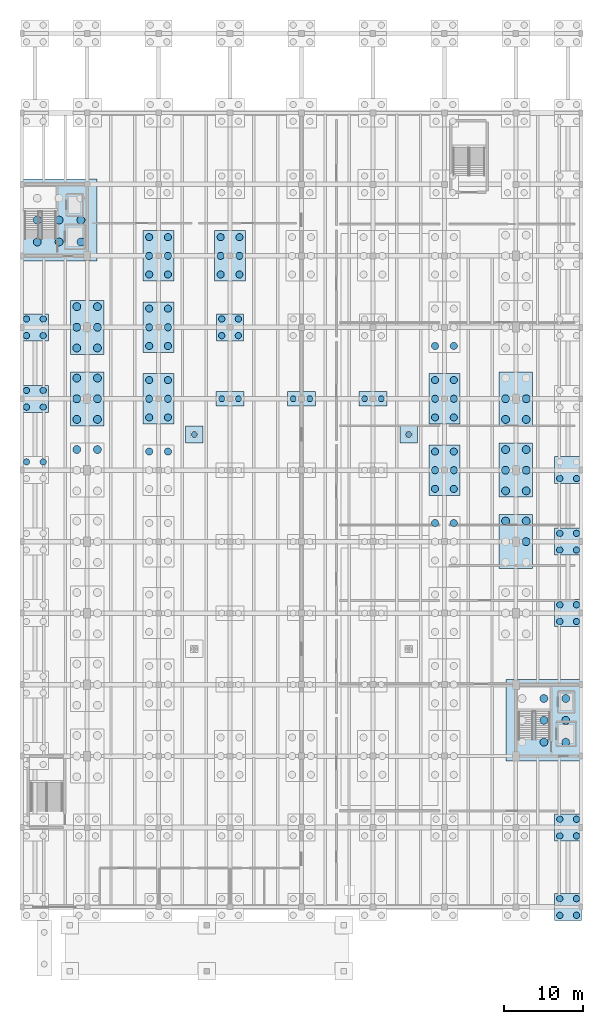
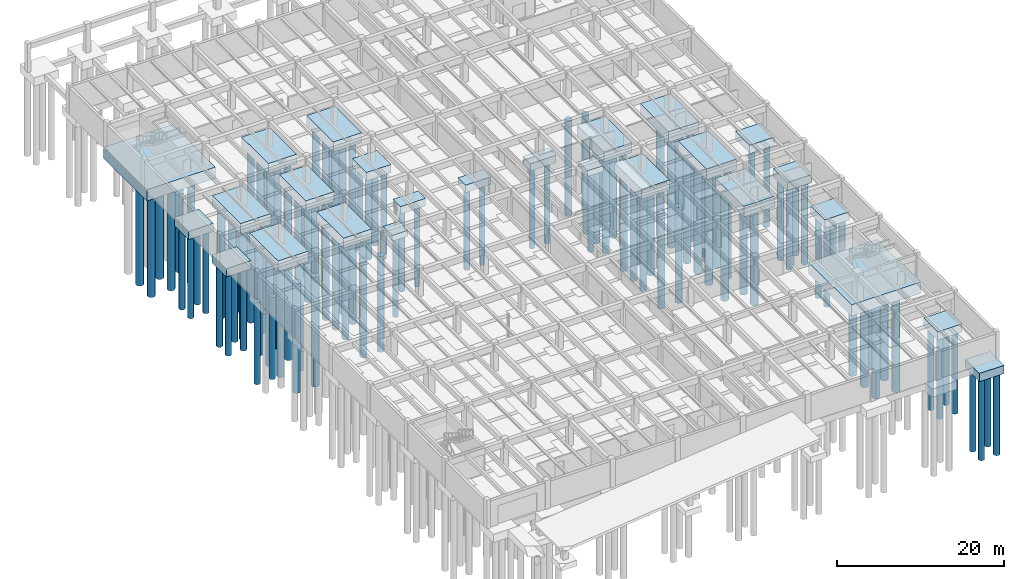
# One storey, part 3 of 23: 121 piles, 26 footings.
"""IFC4 building model written with IfcOpenShell, lengths in metres."""

from ifc_helpers import new_model, si_unit, direction, frame, origin, origin_2d, place, context, subcontext, project, spatial, polyline, circle, outline, extrude, material, layer, layer_set, material_profile, profile_set, type_object, element, save


model = new_model("IFC4")

# Units and contexts
model_context = context("Model", 3, precision=1e-05, world=origin(), true_north=direction((0.0, 1.0)))
body_context = subcontext(model_context, "Body", "Model", "MODEL_VIEW")
ifc_project = project(units=[si_unit("LENGTHUNIT", "METRE"), si_unit("AREAUNIT", "SQUARE_METRE"), si_unit("VOLUMEUNIT", "CUBIC_METRE"), si_unit("PLANEANGLEUNIT", "RADIAN"), si_unit("MASSUNIT", "GRAM", prefix="KILO")], contexts=[model_context])

# Site, building, storey
site_placement = place(None, origin())
site = spatial("IfcSite", under=ifc_project, at=site_placement, CompositionType="ELEMENT")
building_placement = place(site_placement, origin())
building = spatial("IfcBuilding", under=site, at=building_placement, Name="Ornek Quay Market", CompositionType="ELEMENT")
storey_placement = place(building_placement, frame((0.0, 0.0, -4.199951171875)))
storey = spatial("IfcBuildingStorey", under=building, at=storey_placement, Name="B1", CompositionType="ELEMENT", Elevation=-4.199951171875)

# Footings
ifc_material = material(Name="Concrete C35/45", Category="concrete")
ifc_layer_1 = layer(ifc_material, 1.64990234375, Name="Concrete C35/45", Category="concrete")
ifc_layer_set_1 = layer_set([ifc_layer_1], Name="Concrete C35/45")
footing_type_1 = type_object("IfcFootingType", Name="FT-CORE-8400x7200x1650", PredefinedType="PILE_CAP", material=ifc_layer_set_1)
footing_1_placement = place(storey_placement, frame((0.0, 0.0, -1.650146484375)))
element("IfcFooting", 1, at=footing_1_placement, inside=storey, type_object=footing_type_1, Name="Pile cap FC-003", PredefinedType="PILE_CAP", context=body_context, shape_type="SweptSolid", body=[
    extrude(outline(polyline([(54.719970703125, 91.35009765625), (64.219970703125, 91.35009765625), (64.219970703125, 101.64990234375), (54.719970703125, 101.64990234375), (54.719970703125, 91.35009765625)])), origin(), (0.0, 0.0, 1.0), 1.650146484375),
])
footing_2_placement = place(storey_placement, frame((0.0, 0.0, -1.650146484375)))
element("IfcFooting", 2, at=footing_2_placement, inside=storey, type_object=footing_type_1, Name="Pile cap FC-004", PredefinedType="PILE_CAP", context=body_context, shape_type="SweptSolid", body=[
    extrude(outline(polyline([(115.780029296875, 28.35009765625), (125.280029296875, 28.35009765625), (125.280029296875, 38.64990234375), (115.780029296875, 38.64990234375), (115.780029296875, 28.35009765625)])), origin(), (0.0, 0.0, 1.0), 1.650146484375),
])
ifc_layer_2 = layer(ifc_material, 0.85009765625, Name="Concrete C35/45", Category="concrete")
ifc_layer_set_2 = layer_set([ifc_layer_2], Name="Concrete C35/45")
footing_type_2 = type_object("IfcFootingType", Name="FT-PAD-2200x2200x850", PredefinedType="PAD_FOOTING", material=ifc_layer_set_2)
footing_3_placement = place(storey_placement, frame((0.0, 0.0, -0.85009765625)))
element("IfcFooting", 3, at=footing_3_placement, inside=storey, type_object=footing_type_2, Name="Pad footing PF-02", PredefinedType="PAD_FOOTING", context=body_context, shape_type="SweptSolid", body=[
    extrude(outline(polyline([(75.39990234375, 68.39990234375), (77.60009765625, 68.39990234375), (77.60009765625, 70.60009765625), (75.39990234375, 70.60009765625), (75.39990234375, 68.39990234375)])), origin(), (0.0, 0.0, 1.0), 0.85009765625),
])
footing_4_placement = place(storey_placement, frame((0.0, 0.0, -0.85009765625)))
element("IfcFooting", 4, at=footing_4_placement, inside=storey, type_object=footing_type_2, Name="Pad footing PF-04", PredefinedType="PAD_FOOTING", context=body_context, shape_type="SweptSolid", body=[
    extrude(outline(polyline([(102.39990234375, 68.39990234375), (104.60009765625, 68.39990234375), (104.60009765625, 70.60009765625), (102.39990234375, 70.60009765625), (102.39990234375, 68.39990234375)])), origin(), (0.0, 0.0, 1.0), 0.85009765625),
])
ifc_layer_3 = layer(ifc_material, 1.10009765625, Name="Concrete C35/45", Category="concrete")
ifc_layer_set_3 = layer_set([ifc_layer_3], Name="Concrete C35/45")
footing_type_3 = type_object("IfcFootingType", Name="FT-PC2-2800x1400x1100", PredefinedType="PILE_CAP", material=ifc_layer_set_3)
footing_5_placement = place(storey_placement, frame((0.0, 0.0, -1.10009765625)))
element("IfcFooting", 5, at=footing_5_placement, inside=storey, type_object=footing_type_3, Name="Pile cap FC-107", PredefinedType="PILE_CAP", context=body_context, shape_type="SweptSolid", body=[
    extrude(outline(polyline([(79.25, 73.10009765625), (82.75, 73.10009765625), (82.75, 74.89990234375), (79.25, 74.89990234375), (79.25, 73.10009765625)])), origin(), (0.0, 0.0, 1.0), 1.10009765625),
])
footing_6_placement = place(storey_placement, frame((0.0, 0.0, -1.10009765625)))
element("IfcFooting", 6, at=footing_6_placement, inside=storey, type_object=footing_type_3, Name="Pile cap FC-120", PredefinedType="PILE_CAP", context=body_context, shape_type="SweptSolid", body=[
    extrude(outline(polyline([(88.25, 73.10009765625), (91.75, 73.10009765625), (91.75, 74.89990234375), (88.25, 74.89990234375), (88.25, 73.10009765625)])), origin(), (0.0, 0.0, 1.0), 1.10009765625),
])
footing_7_placement = place(storey_placement, frame((0.0, 0.0, -1.10009765625)))
element("IfcFooting", 7, at=footing_7_placement, inside=storey, type_object=footing_type_3, Name="Pile cap FC-133", PredefinedType="PILE_CAP", context=body_context, shape_type="SweptSolid", body=[
    extrude(outline(polyline([(97.25, 73.10009765625), (100.75, 73.10009765625), (100.75, 74.89990234375), (97.25, 74.89990234375), (97.25, 73.10009765625)])), origin(), (0.0, 0.0, 1.0), 1.10009765625),
])
ifc_layer_4 = layer(ifc_material, 1.199951171875, Name="Concrete C35/45", Category="concrete")
ifc_layer_set_4 = layer_set([ifc_layer_4], Name="Concrete C35/45")
footing_type_4 = type_object("IfcFootingType", Name="FT-PC4-2800x2800x1200", PredefinedType="PILE_CAP", material=ifc_layer_set_4)
footing_8_placement = place(storey_placement, frame((0.0, 0.0, -1.199951171875)))
element("IfcFooting", 8, at=footing_8_placement, inside=storey, type_object=footing_type_4, Name="Pile cap FC-072", PredefinedType="PILE_CAP", context=body_context, shape_type="SweptSolid", body=[
    extrude(outline(polyline([(54.719970703125, 72.300048828125), (58.1201171875, 72.300048828125), (58.1201171875, 75.699951171875), (54.719970703125, 75.699951171875), (54.719970703125, 72.300048828125)])), origin(), (0.0, 0.0, 1.0), 1.199951171875),
])
footing_9_placement = place(storey_placement, frame((0.0, 0.0, -1.199951171875)))
element("IfcFooting", 9, at=footing_9_placement, inside=storey, type_object=footing_type_4, Name="Pile cap FC-073", PredefinedType="PILE_CAP", context=body_context, shape_type="SweptSolid", body=[
    extrude(outline(polyline([(54.719970703125, 81.300048828125), (58.1201171875, 81.300048828125), (58.1201171875, 84.699951171875), (54.719970703125, 84.699951171875), (54.719970703125, 81.300048828125)])), origin(), (0.0, 0.0, 1.0), 1.199951171875),
])
footing_10_placement = place(storey_placement, frame((0.0, 0.0, -1.199951171875)))
element("IfcFooting", 10, at=footing_10_placement, inside=storey, type_object=footing_type_4, Name="Pile cap FC-108", PredefinedType="PILE_CAP", context=body_context, shape_type="SweptSolid", body=[
    extrude(outline(polyline([(79.300048828125, 81.300048828125), (82.699951171875, 81.300048828125), (82.699951171875, 84.699951171875), (79.300048828125, 84.699951171875), (79.300048828125, 81.300048828125)])), origin(), (0.0, 0.0, 1.0), 1.199951171875),
])
footing_11_placement = place(storey_placement, frame((0.0, 0.0, -1.199951171875)))
element("IfcFooting", 11, at=footing_11_placement, inside=storey, type_object=footing_type_4, Name="Pile cap FC-163", PredefinedType="PILE_CAP", context=body_context, shape_type="SweptSolid", body=[
    extrude(outline(polyline([(121.8798828125, 8.300048828125), (125.280029296875, 8.300048828125), (125.280029296875, 11.699951171875), (121.8798828125, 11.699951171875), (121.8798828125, 8.300048828125)])), origin(), (0.0, 0.0, 1.0), 1.199951171875),
])
footing_12_placement = place(storey_placement, frame((0.0, 0.0, -1.199951171875)))
element("IfcFooting", 12, at=footing_12_placement, inside=storey, type_object=footing_type_4, Name="Pile cap FC-164", PredefinedType="PILE_CAP", context=body_context, shape_type="SweptSolid", body=[
    extrude(outline(polyline([(121.8798828125, 18.300048828125), (125.280029296875, 18.300048828125), (125.280029296875, 21.699951171875), (121.8798828125, 21.699951171875), (121.8798828125, 18.300048828125)])), origin(), (0.0, 0.0, 1.0), 1.199951171875),
])
footing_13_placement = place(storey_placement, frame((0.0, 0.0, -1.199951171875)))
element("IfcFooting", 13, at=footing_13_placement, inside=storey, type_object=footing_type_4, Name="Pile cap FC-165", PredefinedType="PILE_CAP", context=body_context, shape_type="SweptSolid", body=[
    extrude(outline(polyline([(121.8798828125, 45.300048828125), (125.280029296875, 45.300048828125), (125.280029296875, 48.699951171875), (121.8798828125, 48.699951171875), (121.8798828125, 45.300048828125)])), origin(), (0.0, 0.0, 1.0), 1.199951171875),
])
footing_14_placement = place(storey_placement, frame((0.0, 0.0, -1.199951171875)))
element("IfcFooting", 14, at=footing_14_placement, inside=storey, type_object=footing_type_4, Name="Pile cap FC-166", PredefinedType="PILE_CAP", context=body_context, shape_type="SweptSolid", body=[
    extrude(outline(polyline([(121.8798828125, 54.300048828125), (125.280029296875, 54.300048828125), (125.280029296875, 57.699951171875), (121.8798828125, 57.699951171875), (121.8798828125, 54.300048828125)])), origin(), (0.0, 0.0, 1.0), 1.199951171875),
])
footing_15_placement = place(storey_placement, frame((0.0, 0.0, -1.199951171875)))
element("IfcFooting", 15, at=footing_15_placement, inside=storey, type_object=footing_type_4, Name="Pile cap FC-167", PredefinedType="PILE_CAP", context=body_context, shape_type="SweptSolid", body=[
    extrude(outline(polyline([(121.8798828125, 63.300048828125), (125.280029296875, 63.300048828125), (125.280029296875, 66.699951171875), (121.8798828125, 66.699951171875), (121.8798828125, 63.300048828125)])), origin(), (0.0, 0.0, 1.0), 1.199951171875),
])
ifc_layer_5 = layer(ifc_material, 1.449951171875, Name="Concrete C35/45", Category="concrete")
ifc_layer_set_5 = layer_set([ifc_layer_5], Name="Concrete C35/45")
footing_type_5 = type_object("IfcFootingType", Name="FT-PC6-3200x4600x1450", PredefinedType="PILE_CAP", material=ifc_layer_set_5)
footing_16_placement = place(storey_placement, frame((0.0, 0.0, -1.449951171875)))
element("IfcFooting", 16, at=footing_16_placement, inside=storey, type_object=footing_type_5, Name="Pile cap FC-094", PredefinedType="PILE_CAP", context=body_context, shape_type="SweptSolid", body=[
    extrude(outline(polyline([(70.050048828125, 70.800048828125), (73.949951171875, 70.800048828125), (73.949951171875, 77.199951171875), (70.050048828125, 77.199951171875), (70.050048828125, 70.800048828125)])), origin(), (0.0, 0.0, 1.0), 1.449951171875),
])
footing_17_placement = place(storey_placement, frame((0.0, 0.0, -1.449951171875)))
element("IfcFooting", 17, at=footing_17_placement, inside=storey, type_object=footing_type_5, Name="Pile cap FC-095", PredefinedType="PILE_CAP", context=body_context, shape_type="SweptSolid", body=[
    extrude(outline(polyline([(70.050048828125, 79.800048828125), (73.949951171875, 79.800048828125), (73.949951171875, 86.199951171875), (70.050048828125, 86.199951171875), (70.050048828125, 79.800048828125)])), origin(), (0.0, 0.0, 1.0), 1.449951171875),
])
footing_18_placement = place(storey_placement, frame((0.0, 0.0, -1.449951171875)))
element("IfcFooting", 18, at=footing_18_placement, inside=storey, type_object=footing_type_5, Name="Pile cap FC-096", PredefinedType="PILE_CAP", context=body_context, shape_type="SweptSolid", body=[
    extrude(outline(polyline([(70.050048828125, 88.800048828125), (73.949951171875, 88.800048828125), (73.949951171875, 95.199951171875), (70.050048828125, 95.199951171875), (70.050048828125, 88.800048828125)])), origin(), (0.0, 0.0, 1.0), 1.449951171875),
])
footing_19_placement = place(storey_placement, frame((0.0, 0.0, -1.449951171875)))
element("IfcFooting", 19, at=footing_19_placement, inside=storey, type_object=footing_type_5, Name="Pile cap FC-109", PredefinedType="PILE_CAP", context=body_context, shape_type="SweptSolid", body=[
    extrude(outline(polyline([(79.050048828125, 88.800048828125), (82.949951171875, 88.800048828125), (82.949951171875, 95.199951171875), (79.050048828125, 95.199951171875), (79.050048828125, 88.800048828125)])), origin(), (0.0, 0.0, 1.0), 1.449951171875),
])
footing_20_placement = place(storey_placement, frame((0.0, 0.0, -1.449951171875)))
element("IfcFooting", 20, at=footing_20_placement, inside=storey, type_object=footing_type_5, Name="Pile cap FC-145", PredefinedType="PILE_CAP", context=body_context, shape_type="SweptSolid", body=[
    extrude(outline(polyline([(106.050048828125, 61.800048828125), (109.949951171875, 61.800048828125), (109.949951171875, 68.199951171875), (106.050048828125, 68.199951171875), (106.050048828125, 61.800048828125)])), origin(), (0.0, 0.0, 1.0), 1.449951171875),
])
footing_21_placement = place(storey_placement, frame((0.0, 0.0, -1.449951171875)))
element("IfcFooting", 21, at=footing_21_placement, inside=storey, type_object=footing_type_5, Name="Pile cap FC-146", PredefinedType="PILE_CAP", context=body_context, shape_type="SweptSolid", body=[
    extrude(outline(polyline([(106.050048828125, 70.800048828125), (109.949951171875, 70.800048828125), (109.949951171875, 77.199951171875), (106.050048828125, 77.199951171875), (106.050048828125, 70.800048828125)])), origin(), (0.0, 0.0, 1.0), 1.449951171875),
])
ifc_layer_6 = layer(ifc_material, 1.550048828125, Name="Concrete C35/45", Category="concrete")
ifc_layer_set_6 = layer_set([ifc_layer_6], Name="Concrete C35/45")
footing_type_6 = type_object("IfcFootingType", Name="FT-PC6-3600x5200x1550", PredefinedType="PILE_CAP", material=ifc_layer_set_6)
footing_22_placement = place(storey_placement, frame((0.0, 0.0, -1.550048828125)))
element("IfcFooting", 22, at=footing_22_placement, inside=storey, type_object=footing_type_6, Name="Pile cap FC-083", PredefinedType="PILE_CAP", context=body_context, shape_type="SweptSolid", body=[
    extrude(outline(polyline([(60.89990234375, 70.60009765625), (65.10009765625, 70.60009765625), (65.10009765625, 77.39990234375), (60.89990234375, 77.39990234375), (60.89990234375, 70.60009765625)])), origin(), (0.0, 0.0, 1.0), 1.550048828125),
])
footing_23_placement = place(storey_placement, frame((0.0, 0.0, -1.550048828125)))
element("IfcFooting", 23, at=footing_23_placement, inside=storey, type_object=footing_type_6, Name="Pile cap FC-084", PredefinedType="PILE_CAP", context=body_context, shape_type="SweptSolid", body=[
    extrude(outline(polyline([(60.89990234375, 79.60009765625), (65.10009765625, 79.60009765625), (65.10009765625, 86.39990234375), (60.89990234375, 86.39990234375), (60.89990234375, 79.60009765625)])), origin(), (0.0, 0.0, 1.0), 1.550048828125),
])
footing_24_placement = place(storey_placement, frame((0.0, 0.0, -1.550048828125)))
element("IfcFooting", 24, at=footing_24_placement, inside=storey, type_object=footing_type_6, Name="Pile cap FC-155", PredefinedType="PILE_CAP", context=body_context, shape_type="SweptSolid", body=[
    extrude(outline(polyline([(114.89990234375, 52.60009765625), (119.10009765625, 52.60009765625), (119.10009765625, 59.39990234375), (114.89990234375, 59.39990234375), (114.89990234375, 52.60009765625)])), origin(), (0.0, 0.0, 1.0), 1.550048828125),
])
footing_25_placement = place(storey_placement, frame((0.0, 0.0, -1.550048828125)))
element("IfcFooting", 25, at=footing_25_placement, inside=storey, type_object=footing_type_6, Name="Pile cap FC-156", PredefinedType="PILE_CAP", context=body_context, shape_type="SweptSolid", body=[
    extrude(outline(polyline([(114.89990234375, 61.60009765625), (119.10009765625, 61.60009765625), (119.10009765625, 68.39990234375), (114.89990234375, 68.39990234375), (114.89990234375, 61.60009765625)])), origin(), (0.0, 0.0, 1.0), 1.550048828125),
])
footing_26_placement = place(storey_placement, frame((0.0, 0.0, -1.550048828125)))
element("IfcFooting", 26, at=footing_26_placement, inside=storey, type_object=footing_type_6, Name="Pile cap FC-157", PredefinedType="PILE_CAP", context=body_context, shape_type="SweptSolid", body=[
    extrude(outline(polyline([(114.89990234375, 70.60009765625), (119.10009765625, 70.60009765625), (119.10009765625, 77.39990234375), (114.89990234375, 77.39990234375), (114.89990234375, 70.60009765625)])), origin(), (0.0, 0.0, 1.0), 1.550048828125),
])

# Piles
ifc_material_profile_1 = material_profile(ifc_material, circle(Radius=0.5, at=origin_2d()), Name="PILE D1000", Category="concrete")
ifc_profile_set_1 = profile_set([ifc_material_profile_1], Name="Concrete C35/45")
pile_type_1 = type_object("IfcPileType", Name="PL-BOR-D1000-L15", PredefinedType="BORED", material=ifc_profile_set_1)
for number, where, z_axis, x_axis, name in (
    (27, (120.530029296875, 30.75, -1.550048828125), (0.0, 0.0, -1.0), (1.0, 0.0, 0.0), "Bored pile P-0031"),
    (28, (120.530029296875, 33.5, -1.550048828125), (0.0, 0.0, -1.0), (1.0, 0.0, 0.0), "Bored pile P-0032"),
    (29, (120.530029296875, 36.25, -1.550048828125), (0.0, 0.0, -1.0), (1.0, 0.0, 0.0), "Bored pile P-0033"),
    (30, (123.280029296875, 30.75, -1.550048828125), (0.0, 0.0, -1.0), (1.0, 0.0, 0.0), "Bored pile P-0034"),
    (31, (123.280029296875, 33.5, -1.550048828125), (0.0, 0.0, -1.0), (1.0, 0.0, 0.0), "Bored pile P-0035"),
    (32, (123.280029296875, 36.25, -1.550048828125), (0.0, 0.0, -1.0), (1.0, 0.0, 0.0), "Bored pile P-0036"),
):
    element("IfcPile", number, at=place(storey_placement, frame(where, z_axis=z_axis, x_axis=x_axis)), inside=storey, type_object=pile_type_1, Name=name, PredefinedType="BORED", context=body_context, shape_type="SweptSolid", body=[
        extrude(circle(Radius=0.5, at=origin_2d()), origin(), (0.0, 0.0, 1.0), 15.0),
    ])
ifc_material_profile_2 = material_profile(ifc_material, circle(Radius=0.5, at=origin_2d()), Name="PILE D1000", Category="concrete")
ifc_profile_set_2 = profile_set([ifc_material_profile_2], Name="Concrete C35/45")
pile_type_2 = type_object("IfcPileType", Name="PL-BOR-D1000-L16", PredefinedType="BORED", material=ifc_profile_set_2)
for number, where, z_axis, x_axis, name in (
    (33, (56.719970703125, 93.75, -1.550048828125), (0.0, 0.0, -1.0), (1.0, 0.0, 0.0), "Bored pile P-0019"),
    (34, (56.719970703125, 96.5, -1.550048828125), (0.0, 0.0, -1.0), (1.0, 0.0, 0.0), "Bored pile P-0020"),
    (35, (59.469970703125, 93.75, -1.550048828125), (0.0, 0.0, -1.0), (1.0, 0.0, 0.0), "Bored pile P-0022"),
    (36, (59.469970703125, 96.5, -1.550048828125), (0.0, 0.0, -1.0), (1.0, 0.0, 0.0), "Bored pile P-0023"),
    (37, (62.219970703125, 93.75, -1.550048828125), (0.0, 0.0, -1.0), (1.0, 0.0, 0.0), "Bored pile P-0025"),
    (38, (62.219970703125, 96.5, -1.550048828125), (0.0, 0.0, -1.0), (1.0, 0.0, 0.0), "Bored pile P-0026"),
    (39, (61.699951171875, 67.60009765625, -1.449951171875), (0.0, 0.0, -1.0), (1.0, 0.0, 0.0), "Bored pile P-0367"),
    (40, (64.300048828125, 67.60009765625, -1.449951171875), (0.0, 0.0, -1.0), (1.0, 0.0, 0.0), "Bored pile P-0368"),
    (41, (61.699951171875, 71.39990234375, -1.449951171875), (0.0, 0.0, -1.0), (1.0, 0.0, 0.0), "Bored pile P-0369"),
    (42, (64.300048828125, 71.39990234375, -1.449951171875), (0.0, 0.0, -1.0), (1.0, 0.0, 0.0), "Bored pile P-0370"),
    (43, (61.699951171875, 74.0, -1.449951171875), (0.0, 0.0, -1.0), (1.0, 0.0, 0.0), "Bored pile P-0371"),
    (44, (64.300048828125, 74.0, -1.449951171875), (0.0, 0.0, -1.0), (1.0, 0.0, 0.0), "Bored pile P-0372"),
    (45, (61.699951171875, 76.60009765625, -1.449951171875), (0.0, 0.0, -1.0), (1.0, 0.0, 0.0), "Bored pile P-0373"),
    (46, (64.300048828125, 76.60009765625, -1.449951171875), (0.0, 0.0, -1.0), (1.0, 0.0, 0.0), "Bored pile P-0374"),
    (47, (61.699951171875, 80.39990234375, -1.449951171875), (0.0, 0.0, -1.0), (1.0, 0.0, 0.0), "Bored pile P-0375"),
    (48, (64.300048828125, 80.39990234375, -1.449951171875), (0.0, 0.0, -1.0), (1.0, 0.0, 0.0), "Bored pile P-0376"),
    (49, (61.699951171875, 83.0, -1.449951171875), (0.0, 0.0, -1.0), (1.0, 0.0, 0.0), "Bored pile P-0377"),
    (50, (64.300048828125, 83.0, -1.449951171875), (0.0, 0.0, -1.0), (1.0, 0.0, 0.0), "Bored pile P-0378"),
    (51, (61.699951171875, 85.60009765625, -1.449951171875), (0.0, 0.0, -1.0), (1.0, 0.0, 0.0), "Bored pile P-0379"),
    (52, (64.300048828125, 85.60009765625, -1.449951171875), (0.0, 0.0, -1.0), (1.0, 0.0, 0.0), "Bored pile P-0380"),
    (53, (118.300048828125, 56.0, -1.449951171875), (0.0, 0.0, -1.0), (1.0, 0.0, 0.0), "Bored pile P-0680"),
    (54, (115.699951171875, 58.60009765625, -1.449951171875), (0.0, 0.0, -1.0), (1.0, 0.0, 0.0), "Bored pile P-0681"),
    (55, (118.300048828125, 58.60009765625, -1.449951171875), (0.0, 0.0, -1.0), (1.0, 0.0, 0.0), "Bored pile P-0682"),
    (56, (115.699951171875, 62.39990234375, -1.449951171875), (0.0, 0.0, -1.0), (1.0, 0.0, 0.0), "Bored pile P-0683"),
    (57, (118.300048828125, 62.39990234375, -1.449951171875), (0.0, 0.0, -1.0), (1.0, 0.0, 0.0), "Bored pile P-0684"),
    (58, (115.699951171875, 65.0, -1.449951171875), (0.0, 0.0, -1.0), (1.0, 0.0, 0.0), "Bored pile P-0685"),
    (59, (118.300048828125, 65.0, -1.449951171875), (0.0, 0.0, -1.0), (1.0, 0.0, 0.0), "Bored pile P-0686"),
    (60, (115.699951171875, 67.60009765625, -1.449951171875), (0.0, 0.0, -1.0), (1.0, 0.0, 0.0), "Bored pile P-0687"),
    (61, (118.300048828125, 67.60009765625, -1.449951171875), (0.0, 0.0, -1.0), (1.0, 0.0, 0.0), "Bored pile P-0688"),
    (62, (115.699951171875, 71.39990234375, -1.449951171875), (0.0, 0.0, -1.0), (1.0, 0.0, 0.0), "Bored pile P-0689"),
    (63, (118.300048828125, 71.39990234375, -1.449951171875), (0.0, 0.0, -1.0), (1.0, 0.0, 0.0), "Bored pile P-0690"),
    (64, (115.699951171875, 74.0, -1.449951171875), (0.0, 0.0, -1.0), (1.0, 0.0, 0.0), "Bored pile P-0691"),
    (65, (118.300048828125, 74.0, -1.449951171875), (0.0, 0.0, -1.0), (1.0, 0.0, 0.0), "Bored pile P-0692"),
):
    element("IfcPile", number, at=place(storey_placement, frame(where, z_axis=z_axis, x_axis=x_axis)), inside=storey, type_object=pile_type_2, Name=name, PredefinedType="BORED", context=body_context, shape_type="SweptSolid", body=[
        extrude(circle(Radius=0.5, at=origin_2d()), origin(), (0.0, 0.0, 1.0), 16.0),
    ])
ifc_material_profile_3 = material_profile(ifc_material, circle(Radius=0.39990234375, at=origin_2d()), Name="PILE D800", Category="concrete")
ifc_profile_set_3 = profile_set([ifc_material_profile_3], Name="Concrete C35/45")
pile_type_3 = type_object("IfcPileType", Name="PL-BOR-D800-L12", PredefinedType="BORED", material=ifc_profile_set_3)
for number, where, z_axis, x_axis, name in (
    (66, (55.3701171875, 66.050048828125, -1.10009765625), (0.0, 0.0, -1.0), (1.0, 0.0, 0.0), "Bored pile P-0313"),
    (67, (57.469970703125, 66.050048828125, -1.10009765625), (0.0, 0.0, -1.0), (1.0, 0.0, 0.0), "Bored pile P-0314"),
    (68, (55.3701171875, 72.949951171875, -1.10009765625), (0.0, 0.0, -1.0), (1.0, 0.0, 0.0), "Bored pile P-0315"),
    (69, (57.469970703125, 72.949951171875, -1.10009765625), (0.0, 0.0, -1.0), (1.0, 0.0, 0.0), "Bored pile P-0316"),
    (70, (55.3701171875, 75.050048828125, -1.10009765625), (0.0, 0.0, -1.0), (1.0, 0.0, 0.0), "Bored pile P-0317"),
    (71, (57.469970703125, 75.050048828125, -1.10009765625), (0.0, 0.0, -1.0), (1.0, 0.0, 0.0), "Bored pile P-0318"),
    (72, (55.3701171875, 81.949951171875, -1.10009765625), (0.0, 0.0, -1.0), (1.0, 0.0, 0.0), "Bored pile P-0319"),
    (73, (57.469970703125, 81.949951171875, -1.10009765625), (0.0, 0.0, -1.0), (1.0, 0.0, 0.0), "Bored pile P-0320"),
    (74, (55.3701171875, 84.050048828125, -1.10009765625), (0.0, 0.0, -1.0), (1.0, 0.0, 0.0), "Bored pile P-0321"),
    (75, (57.469970703125, 84.050048828125, -1.10009765625), (0.0, 0.0, -1.0), (1.0, 0.0, 0.0), "Bored pile P-0322"),
    (76, (79.949951171875, 81.949951171875, -1.10009765625), (0.0, 0.0, -1.0), (1.0, 0.0, 0.0), "Bored pile P-0481"),
    (77, (82.050048828125, 81.949951171875, -1.10009765625), (0.0, 0.0, -1.0), (1.0, 0.0, 0.0), "Bored pile P-0482"),
    (78, (79.949951171875, 84.050048828125, -1.10009765625), (0.0, 0.0, -1.0), (1.0, 0.0, 0.0), "Bored pile P-0483"),
    (79, (82.050048828125, 84.050048828125, -1.10009765625), (0.0, 0.0, -1.0), (1.0, 0.0, 0.0), "Bored pile P-0484"),
    (80, (122.530029296875, 8.949951171875, -1.10009765625), (0.0, 0.0, -1.0), (1.0, 0.0, 0.0), "Bored pile P-0719"),
    (81, (124.6298828125, 8.949951171875, -1.10009765625), (0.0, 0.0, -1.0), (1.0, 0.0, 0.0), "Bored pile P-0720"),
    (82, (122.530029296875, 11.050048828125, -1.10009765625), (0.0, 0.0, -1.0), (1.0, 0.0, 0.0), "Bored pile P-0721"),
    (83, (124.6298828125, 11.050048828125, -1.10009765625), (0.0, 0.0, -1.0), (1.0, 0.0, 0.0), "Bored pile P-0722"),
    (84, (122.530029296875, 18.949951171875, -1.10009765625), (0.0, 0.0, -1.0), (1.0, 0.0, 0.0), "Bored pile P-0723"),
    (85, (124.6298828125, 18.949951171875, -1.10009765625), (0.0, 0.0, -1.0), (1.0, 0.0, 0.0), "Bored pile P-0724"),
    (86, (122.530029296875, 21.050048828125, -1.10009765625), (0.0, 0.0, -1.0), (1.0, 0.0, 0.0), "Bored pile P-0725"),
    (87, (124.6298828125, 21.050048828125, -1.10009765625), (0.0, 0.0, -1.0), (1.0, 0.0, 0.0), "Bored pile P-0726"),
    (88, (122.530029296875, 45.949951171875, -1.10009765625), (0.0, 0.0, -1.0), (1.0, 0.0, 0.0), "Bored pile P-0727"),
    (89, (124.6298828125, 45.949951171875, -1.10009765625), (0.0, 0.0, -1.0), (1.0, 0.0, 0.0), "Bored pile P-0728"),
    (90, (122.530029296875, 48.050048828125, -1.10009765625), (0.0, 0.0, -1.0), (1.0, 0.0, 0.0), "Bored pile P-0729"),
    (91, (124.6298828125, 48.050048828125, -1.10009765625), (0.0, 0.0, -1.0), (1.0, 0.0, 0.0), "Bored pile P-0730"),
    (92, (122.530029296875, 54.949951171875, -1.10009765625), (0.0, 0.0, -1.0), (1.0, 0.0, 0.0), "Bored pile P-0731"),
    (93, (124.6298828125, 54.949951171875, -1.10009765625), (0.0, 0.0, -1.0), (1.0, 0.0, 0.0), "Bored pile P-0732"),
    (94, (122.530029296875, 57.050048828125, -1.10009765625), (0.0, 0.0, -1.0), (1.0, 0.0, 0.0), "Bored pile P-0733"),
    (95, (124.6298828125, 57.050048828125, -1.10009765625), (0.0, 0.0, -1.0), (1.0, 0.0, 0.0), "Bored pile P-0734"),
    (96, (122.530029296875, 63.949951171875, -1.10009765625), (0.0, 0.0, -1.0), (1.0, 0.0, 0.0), "Bored pile P-0735"),
    (97, (124.6298828125, 63.949951171875, -1.10009765625), (0.0, 0.0, -1.0), (1.0, 0.0, 0.0), "Bored pile P-0736"),
):
    element("IfcPile", number, at=place(storey_placement, frame(where, z_axis=z_axis, x_axis=x_axis)), inside=storey, type_object=pile_type_3, Name=name, PredefinedType="BORED", context=body_context, shape_type="SweptSolid", body=[
        extrude(circle(Radius=0.39990234375, at=origin_2d()), origin(), (0.0, 0.0, 1.0), 12.0),
    ])
ifc_material_profile_4 = material_profile(ifc_material, circle(Radius=0.449951171875, at=origin_2d()), Name="PILE D900", Category="concrete")
ifc_profile_set_4 = profile_set([ifc_material_profile_4], Name="Concrete C35/45")
pile_type_4 = type_object("IfcPileType", Name="PL-BOR-D900-L14", PredefinedType="BORED", material=ifc_profile_set_4)
for number, where, z_axis, x_axis, name in (
    (98, (70.820068359375, 67.35009765625, -1.35009765625), (0.0, 0.0, -1.0), (1.0, 0.0, 0.0), "Bored pile P-0425"),
    (99, (73.179931640625, 67.35009765625, -1.35009765625), (0.0, 0.0, -1.0), (1.0, 0.0, 0.0), "Bored pile P-0426"),
    (100, (70.820068359375, 71.64990234375, -1.35009765625), (0.0, 0.0, -1.0), (1.0, 0.0, 0.0), "Bored pile P-0427"),
    (101, (73.179931640625, 71.64990234375, -1.35009765625), (0.0, 0.0, -1.0), (1.0, 0.0, 0.0), "Bored pile P-0428"),
    (102, (70.820068359375, 74.0, -1.35009765625), (0.0, 0.0, -1.0), (1.0, 0.0, 0.0), "Bored pile P-0429"),
    (103, (73.179931640625, 74.0, -1.35009765625), (0.0, 0.0, -1.0), (1.0, 0.0, 0.0), "Bored pile P-0430"),
    (104, (70.820068359375, 76.35009765625, -1.35009765625), (0.0, 0.0, -1.0), (1.0, 0.0, 0.0), "Bored pile P-0431"),
    (105, (73.179931640625, 76.35009765625, -1.35009765625), (0.0, 0.0, -1.0), (1.0, 0.0, 0.0), "Bored pile P-0432"),
    (106, (70.820068359375, 80.64990234375, -1.35009765625), (0.0, 0.0, -1.0), (1.0, 0.0, 0.0), "Bored pile P-0433"),
    (107, (73.179931640625, 80.64990234375, -1.35009765625), (0.0, 0.0, -1.0), (1.0, 0.0, 0.0), "Bored pile P-0434"),
    (108, (70.820068359375, 83.0, -1.35009765625), (0.0, 0.0, -1.0), (1.0, 0.0, 0.0), "Bored pile P-0435"),
    (109, (73.179931640625, 83.0, -1.35009765625), (0.0, 0.0, -1.0), (1.0, 0.0, 0.0), "Bored pile P-0436"),
    (110, (70.820068359375, 85.35009765625, -1.35009765625), (0.0, 0.0, -1.0), (1.0, 0.0, 0.0), "Bored pile P-0437"),
    (111, (73.179931640625, 85.35009765625, -1.35009765625), (0.0, 0.0, -1.0), (1.0, 0.0, 0.0), "Bored pile P-0438"),
    (112, (70.820068359375, 89.64990234375, -1.35009765625), (0.0, 0.0, -1.0), (1.0, 0.0, 0.0), "Bored pile P-0439"),
    (113, (73.179931640625, 89.64990234375, -1.35009765625), (0.0, 0.0, -1.0), (1.0, 0.0, 0.0), "Bored pile P-0440"),
    (114, (70.820068359375, 92.0, -1.35009765625), (0.0, 0.0, -1.0), (1.0, 0.0, 0.0), "Bored pile P-0441"),
    (115, (73.179931640625, 92.0, -1.35009765625), (0.0, 0.0, -1.0), (1.0, 0.0, 0.0), "Bored pile P-0442"),
    (116, (70.820068359375, 94.35009765625, -1.35009765625), (0.0, 0.0, -1.0), (1.0, 0.0, 0.0), "Bored pile P-0443"),
    (117, (73.179931640625, 94.35009765625, -1.35009765625), (0.0, 0.0, -1.0), (1.0, 0.0, 0.0), "Bored pile P-0444"),
    (118, (79.820068359375, 89.64990234375, -1.35009765625), (0.0, 0.0, -1.0), (1.0, 0.0, 0.0), "Bored pile P-0485"),
    (119, (82.179931640625, 89.64990234375, -1.35009765625), (0.0, 0.0, -1.0), (1.0, 0.0, 0.0), "Bored pile P-0486"),
    (120, (79.820068359375, 92.0, -1.35009765625), (0.0, 0.0, -1.0), (1.0, 0.0, 0.0), "Bored pile P-0487"),
    (121, (82.179931640625, 92.0, -1.35009765625), (0.0, 0.0, -1.0), (1.0, 0.0, 0.0), "Bored pile P-0488"),
    (122, (79.820068359375, 94.35009765625, -1.35009765625), (0.0, 0.0, -1.0), (1.0, 0.0, 0.0), "Bored pile P-0489"),
    (123, (82.179931640625, 94.35009765625, -1.35009765625), (0.0, 0.0, -1.0), (1.0, 0.0, 0.0), "Bored pile P-0490"),
    (124, (106.820068359375, 58.35009765625, -1.35009765625), (0.0, 0.0, -1.0), (1.0, 0.0, 0.0), "Bored pile P-0625"),
    (125, (109.179931640625, 58.35009765625, -1.35009765625), (0.0, 0.0, -1.0), (1.0, 0.0, 0.0), "Bored pile P-0626"),
    (126, (106.820068359375, 62.64990234375, -1.35009765625), (0.0, 0.0, -1.0), (1.0, 0.0, 0.0), "Bored pile P-0627"),
    (127, (109.179931640625, 62.64990234375, -1.35009765625), (0.0, 0.0, -1.0), (1.0, 0.0, 0.0), "Bored pile P-0628"),
    (128, (106.820068359375, 65.0, -1.35009765625), (0.0, 0.0, -1.0), (1.0, 0.0, 0.0), "Bored pile P-0629"),
    (129, (109.179931640625, 65.0, -1.35009765625), (0.0, 0.0, -1.0), (1.0, 0.0, 0.0), "Bored pile P-0630"),
    (130, (106.820068359375, 67.35009765625, -1.35009765625), (0.0, 0.0, -1.0), (1.0, 0.0, 0.0), "Bored pile P-0631"),
    (131, (109.179931640625, 67.35009765625, -1.35009765625), (0.0, 0.0, -1.0), (1.0, 0.0, 0.0), "Bored pile P-0632"),
    (132, (106.820068359375, 71.64990234375, -1.35009765625), (0.0, 0.0, -1.0), (1.0, 0.0, 0.0), "Bored pile P-0633"),
    (133, (109.179931640625, 71.64990234375, -1.35009765625), (0.0, 0.0, -1.0), (1.0, 0.0, 0.0), "Bored pile P-0634"),
    (134, (106.820068359375, 74.0, -1.35009765625), (0.0, 0.0, -1.0), (1.0, 0.0, 0.0), "Bored pile P-0635"),
    (135, (109.179931640625, 74.0, -1.35009765625), (0.0, 0.0, -1.0), (1.0, 0.0, 0.0), "Bored pile P-0636"),
    (136, (106.820068359375, 76.35009765625, -1.35009765625), (0.0, 0.0, -1.0), (1.0, 0.0, 0.0), "Bored pile P-0637"),
    (137, (109.179931640625, 76.35009765625, -1.35009765625), (0.0, 0.0, -1.0), (1.0, 0.0, 0.0), "Bored pile P-0638"),
    (138, (106.820068359375, 80.64990234375, -1.35009765625), (0.0, 0.0, -1.0), (1.0, 0.0, 0.0), "Bored pile P-0639"),
    (139, (109.179931640625, 80.64990234375, -1.35009765625), (0.0, 0.0, -1.0), (1.0, 0.0, 0.0), "Bored pile P-0640"),
):
    element("IfcPile", number, at=place(storey_placement, frame(where, z_axis=z_axis, x_axis=x_axis)), inside=storey, type_object=pile_type_4, Name=name, PredefinedType="BORED", context=body_context, shape_type="SweptSolid", body=[
        extrude(circle(Radius=0.449951171875, at=origin_2d()), origin(), (0.0, 0.0, 1.0), 14.0),
    ])
ifc_material_profile_5 = material_profile(ifc_material, circle(Radius=0.375, at=origin_2d()), Name="PILE D750", Category="concrete")
ifc_profile_set_5 = profile_set([ifc_material_profile_5], Name="Concrete C35/45")
pile_type_5 = type_object("IfcPileType", Name="PL-SUP-D750-L12", PredefinedType="SUPPORT", material=ifc_profile_set_5)
for number, where, z_axis, x_axis, name in (
    (140, (79.949951171875, 74.0, -1.0), (0.0, 0.0, -1.0), (1.0, 0.0, 0.0), "Bored pile P-0479"),
    (141, (82.050048828125, 74.0, -1.0), (0.0, 0.0, -1.0), (1.0, 0.0, 0.0), "Bored pile P-0480"),
    (142, (88.949951171875, 74.0, -1.0), (0.0, 0.0, -1.0), (1.0, 0.0, 0.0), "Bored pile P-0525"),
    (143, (91.050048828125, 74.0, -1.0), (0.0, 0.0, -1.0), (1.0, 0.0, 0.0), "Bored pile P-0526"),
    (144, (97.949951171875, 74.0, -1.0), (0.0, 0.0, -1.0), (1.0, 0.0, 0.0), "Bored pile P-0571"),
    (145, (100.050048828125, 74.0, -1.0), (0.0, 0.0, -1.0), (1.0, 0.0, 0.0), "Bored pile P-0572"),
    (146, (76.5, 69.5, -0.75), (0.0, 0.0, -1.0), (1.0, 0.0, 0.0), "Bored pile P-1202"),
    (147, (103.5, 69.5, -0.75), (0.0, 0.0, -1.0), (1.0, 0.0, 0.0), "Bored pile P-1204"),
):
    element("IfcPile", number, at=place(storey_placement, frame(where, z_axis=z_axis, x_axis=x_axis)), inside=storey, type_object=pile_type_5, Name=name, PredefinedType="SUPPORT", context=body_context, shape_type="SweptSolid", body=[
        extrude(circle(Radius=0.375, at=origin_2d()), origin(), (0.0, 0.0, 1.0), 12.0),
    ])

save(model, "model.ifc")
